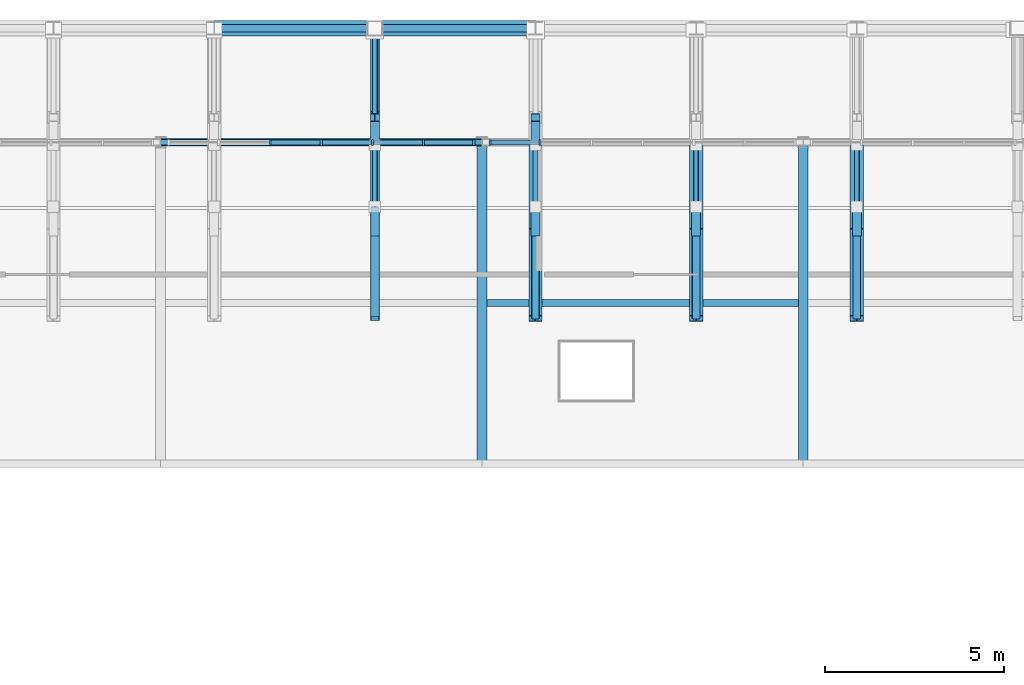
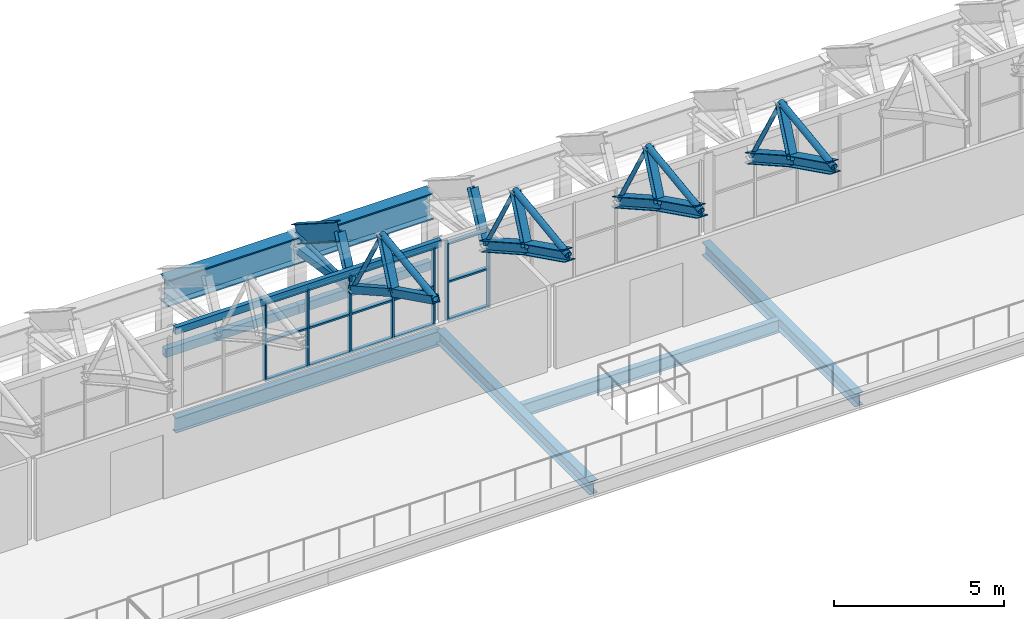
# One storey, part 67 of 134: 46 members, 10 beams, 2 elements without a shape of their own.
"""IFC4 building model written with IfcOpenShell, lengths in metres."""

from ifc_helpers import new_model, si_unit, direction, frame, origin, origin_2d, place, context, subcontext, project, spatial, rectangle, hollow_rectangle, hollow_circle, i_section, extrude, material, layer, layer_set, material_profile, profile_set, type_object, element, aggregate, save


model = new_model("IFC4")

# Units and contexts
model_context = context("Model", 3, precision=1e-05, world=origin(), true_north=direction((0.0, 1.0)))
body_context = subcontext(model_context, "Body", "Model", "MODEL_VIEW")
ifc_project = project(units=[si_unit("LENGTHUNIT", "METRE"), si_unit("AREAUNIT", "SQUARE_METRE"), si_unit("VOLUMEUNIT", "CUBIC_METRE"), si_unit("PLANEANGLEUNIT", "RADIAN"), si_unit("MASSUNIT", "GRAM", prefix="KILO")], contexts=[model_context])

# Site, building, storey
site_placement = place(None, origin())
site = spatial("IfcSite", under=ifc_project, at=site_placement, CompositionType="ELEMENT")
building_placement = place(site_placement, origin())
building = spatial("IfcBuilding", under=site, at=building_placement, Name="Cazmaro Siding Exhibition Halls", CompositionType="ELEMENT")
storey_placement = place(building_placement, frame((0.0, 0.0, 12.0)))
storey = spatial("IfcBuildingStorey", under=building, at=storey_placement, Name="L02", CompositionType="ELEMENT", Elevation=12.0)

# Beams
ifc_material_1 = material(Name="Steel ASTM A992 Grade 50", Category="steel")
ifc_material_profile_1 = material_profile(ifc_material_1, i_section(OverallWidth=0.22900390625, OverallDepth=0.612060546875, WebThickness=0.011962890625, FlangeThickness=0.02001953125, at=origin_2d()), Name="W24X84")
ifc_profile_set_1 = profile_set([ifc_material_profile_1], Name="Steel ASTM A992 Grade 50")
beam_type_1 = type_object("IfcBeamType", Name="AR-03", PredefinedType="USERDEFINED", material=ifc_profile_set_1)
beam_1_placement = place(storey_placement, frame((81.0, 121.5, 3.89306640625), z_axis=(0.0, 0.843339173298, -0.537381650954), x_axis=(-1.0, 0.0, 0.0)))
element("IfcBeam", 1, at=beam_1_placement, inside=storey, type_object=beam_type_1, Name="Space frame barrel vault arched rib AR-03 BM-0750", ObjectType="ARCHED RIB", PredefinedType="USERDEFINED", context=body_context, shape_type="SweptSolid", body=[
    extrude(i_section(OverallWidth=0.22900390625, OverallDepth=0.612060546875, WebThickness=0.011962890625, FlangeThickness=0.02001953125, at=origin_2d()), origin(), (0.0, 0.0, 1.0), 2.96435546875),
])
ifc_material_2 = material(Name="Steel ASTM A992 Grade 50", Category="steel")
ifc_material_profile_2 = material_profile(ifc_material_2, i_section(OverallWidth=0.2099609375, OverallDepth=0.535888671875, WebThickness=0.010986328125, FlangeThickness=0.01708984375, at=origin_2d()), Name="W21X68")
ifc_profile_set_2 = profile_set([ifc_material_profile_2], Name="Steel ASTM A992 Grade 50")
beam_type_2 = type_object("IfcBeamType", Name="B-02", PredefinedType="BEAM", material=ifc_profile_set_2)
beam_2_placement = place(storey_placement, frame((75.0, 120.800048828125, -0.488037109375), z_axis=(1.0, 0.0, 0.0), x_axis=(0.0, 1.0, 0.0)))
element("IfcBeam", 2, at=beam_2_placement, inside=storey, type_object=beam_type_2, Name="Beam B-02 BM-0408", PredefinedType="BEAM", context=body_context, shape_type="SweptSolid", body=[
    extrude(i_section(OverallWidth=0.2099609375, OverallDepth=0.535888671875, WebThickness=0.010986328125, FlangeThickness=0.01708984375, at=origin_2d()), origin(), (0.0, 0.0, 1.0), 9.0),
])
ifc_material_3 = material(Name="Steel ASTM A992 Grade 50", Category="steel")
ifc_material_profile_3 = material_profile(ifc_material_3, i_section(OverallWidth=0.279052734375, OverallDepth=0.4619140625, WebThickness=0.010986328125, FlangeThickness=0.01708984375, at=origin_2d()), Name="W18X76")
ifc_profile_set_3 = profile_set([ifc_material_profile_3], Name="Steel ASTM A992 Grade 50")
beam_type_3 = type_object("IfcBeamType", Name="B-03", PredefinedType="BEAM", material=ifc_profile_set_3)
for number, where, z_axis, x_axis, name in (
    (3, (84.0, 111.800048828125, -0.450927734375), (0.0, 1.0, 0.0), (-1.0, 0.0, 0.0), "Beam B-03 BM-0441"),
    (4, (93.0, 111.800048828125, -0.450927734375), (0.0, 1.0, 0.0), (-1.0, 0.0, 0.0), "Beam B-03 BM-0442"),
):
    element("IfcBeam", number, at=place(storey_placement, frame(where, z_axis=z_axis, x_axis=x_axis)), inside=storey, type_object=beam_type_3, Name=name, PredefinedType="BEAM", context=body_context, shape_type="SweptSolid", body=[
        extrude(i_section(OverallWidth=0.279052734375, OverallDepth=0.4619140625, WebThickness=0.010986328125, FlangeThickness=0.01708984375, at=origin_2d()), origin(), (0.0, 0.0, 1.0), 9.0),
    ])

# Curtain wall, members
ifc_material_4 = material(Name="Anodized Bronze Aluminum and Solar-Control Low-E Glazing", Category="aluminium")
ifc_layer = layer(ifc_material_4, 0.159912109375)
ifc_layer_set = layer_set([ifc_layer], Name="Anodized Bronze Aluminum and Solar-Control Low-E Glazing")
curtain_wall_type = type_object("IfcCurtainWallType", Name="CWS-04", PredefinedType="USERDEFINED", material=ifc_layer_set)
curtain_wall_1_placement = place(storey_placement, origin())
curtain_wall_1 = element("IfcCurtainWall", 5, at=curtain_wall_1_placement, inside=storey, type_object=curtain_wall_type, Name="Clerestory Curtain Wall CWS-04 CW-015", ObjectType="CLERESTORY CURTAIN WALL", PredefinedType="USERDEFINED")
ifc_material_5 = material(Name="Anodized Bronze Extruded Aluminum", Category="aluminium")
ifc_material_profile_4 = material_profile(ifc_material_5, rectangle(XDim=0.159912109375, YDim=0.06005859375, at=origin_2d()), Name="CWM-04")
ifc_profile_set_4 = profile_set([ifc_material_profile_4], Name="Anodized Bronze Extruded Aluminum")
member_type_1 = type_object("IfcMemberType", Name="CWM-04", PredefinedType="MULLION", material=ifc_profile_set_4)
member_1_placement = place(storey_placement, frame((83.77294921875, 120.800048828125, 0.0), z_axis=(0.0, 0.0, 1.0), x_axis=(0.0, -1.0, 0.0)))
member_1 = element("IfcMember", 6, at=member_1_placement, type_object=member_type_1, Name="CWS-04 mullion 1", PredefinedType="MULLION", context=body_context, shape_type="SweptSolid", body=[
    extrude(rectangle(XDim=0.159912109375, YDim=0.06005859375, at=origin_2d()), origin(), (0.0, 0.0, 1.0), 2.800048828125),
])
member_2_placement = place(storey_placement, frame((82.36865234375, 120.800048828125, 0.0), z_axis=(0.0, 0.0, 1.0), x_axis=(0.0, -1.0, 0.0)))
member_2 = element("IfcMember", 7, at=member_2_placement, type_object=member_type_1, Name="CWS-04 mullion 2", PredefinedType="MULLION", context=body_context, shape_type="SweptSolid", body=[
    extrude(rectangle(XDim=0.159912109375, YDim=0.06005859375, at=origin_2d()), origin(), (0.0, 0.0, 1.0), 2.800048828125),
])
member_3_placement = place(storey_placement, frame((80.934326171875, 120.800048828125, 0.0), z_axis=(0.0, 0.0, 1.0), x_axis=(0.0, -1.0, 0.0)))
member_3 = element("IfcMember", 8, at=member_3_placement, type_object=member_type_1, Name="CWS-04 mullion 3", PredefinedType="MULLION", context=body_context, shape_type="SweptSolid", body=[
    extrude(rectangle(XDim=0.159912109375, YDim=0.06005859375, at=origin_2d()), origin(), (0.0, 0.0, 1.0), 2.800048828125),
])
member_4_placement = place(storey_placement, frame((79.5, 120.800048828125, 0.0), z_axis=(0.0, 0.0, 1.0), x_axis=(0.0, -1.0, 0.0)))
member_4 = element("IfcMember", 9, at=member_4_placement, type_object=member_type_1, Name="CWS-04 mullion 4", PredefinedType="MULLION", context=body_context, shape_type="SweptSolid", body=[
    extrude(rectangle(XDim=0.159912109375, YDim=0.06005859375, at=origin_2d()), origin(), (0.0, 0.0, 1.0), 2.800048828125),
])
member_5_placement = place(storey_placement, frame((78.065673828125, 120.800048828125, 0.0), z_axis=(0.0, 0.0, 1.0), x_axis=(0.0, -1.0, 0.0)))
member_5 = element("IfcMember", 10, at=member_5_placement, type_object=member_type_1, Name="CWS-04 mullion 5", PredefinedType="MULLION", context=body_context, shape_type="SweptSolid", body=[
    extrude(rectangle(XDim=0.159912109375, YDim=0.06005859375, at=origin_2d()), origin(), (0.0, 0.0, 1.0), 2.800048828125),
])

curtain_wall_2_placement = place(storey_placement, origin())
curtain_wall_2 = element("IfcCurtainWall", 11, at=curtain_wall_2_placement, inside=storey, type_object=curtain_wall_type, Name="Clerestory Curtain Wall CWS-04 CW-018", ObjectType="CLERESTORY CURTAIN WALL", PredefinedType="USERDEFINED")
member_6_placement = place(storey_placement, frame((85.63134765625, 120.800048828125, 0.0), z_axis=(0.0, 0.0, 1.0), x_axis=(0.0, -1.0, 0.0)))
member_6 = element("IfcMember", 12, at=member_6_placement, type_object=member_type_1, Name="CWS-04 mullion 6", PredefinedType="MULLION", context=body_context, shape_type="SweptSolid", body=[
    extrude(rectangle(XDim=0.159912109375, YDim=0.06005859375, at=origin_2d()), origin(), (0.0, 0.0, 1.0), 2.800048828125),
])
member_7_placement = place(storey_placement, frame((84.22705078125, 120.800048828125, 0.0), z_axis=(0.0, 0.0, 1.0), x_axis=(0.0, -1.0, 0.0)))
member_7 = element("IfcMember", 13, at=member_7_placement, type_object=member_type_1, Name="CWS-04 mullion 7", PredefinedType="MULLION", context=body_context, shape_type="SweptSolid", body=[
    extrude(rectangle(XDim=0.159912109375, YDim=0.06005859375, at=origin_2d()), origin(), (0.0, 0.0, 1.0), 2.800048828125),
])

# Member
ifc_material_6 = material(Name="Anodized Bronze Extruded Aluminum", Category="aluminium")
ifc_material_profile_5 = material_profile(ifc_material_6, rectangle(XDim=0.139892578125, YDim=0.06005859375, at=origin_2d()), Name="CWT-04")
ifc_profile_set_5 = profile_set([ifc_material_profile_5], Name="Anodized Bronze Extruded Aluminum")
member_type_2 = type_object("IfcMemberType", Name="CWT-04", PredefinedType="MULLION", material=ifc_profile_set_5)
member_8_placement = place(storey_placement, frame((83.742919921875, 120.800048828125, 0.030029296875), z_axis=(-1.0, 0.0, 0.0), x_axis=(0.0, -1.0, 0.0)))
member_8 = element("IfcMember", 14, at=member_8_placement, type_object=member_type_2, Name="CWS-04 transom 1.1", ObjectType="TRANSOM", PredefinedType="USERDEFINED", context=body_context, shape_type="SweptSolid", body=[
    extrude(rectangle(XDim=0.139892578125, YDim=0.06005859375, at=origin_2d()), origin(), (0.0, 0.0, 1.0), 1.34423828125),
])

member_9_placement = place(storey_placement, frame((83.742919921875, 120.800048828125, 1.39990234375), z_axis=(-1.0, 0.0, 0.0), x_axis=(0.0, -1.0, 0.0)))
member_9 = element("IfcMember", 15, at=member_9_placement, type_object=member_type_2, Name="CWS-04 transom 1.2", ObjectType="TRANSOM", PredefinedType="USERDEFINED", context=body_context, shape_type="SweptSolid", body=[
    extrude(rectangle(XDim=0.139892578125, YDim=0.06005859375, at=origin_2d()), origin(), (0.0, 0.0, 1.0), 1.34423828125),
])

member_10_placement = place(storey_placement, frame((83.742919921875, 120.800048828125, 2.77001953125), z_axis=(-1.0, 0.0, 0.0), x_axis=(0.0, -1.0, 0.0)))
member_10 = element("IfcMember", 16, at=member_10_placement, type_object=member_type_2, Name="CWS-04 transom 1.3", ObjectType="TRANSOM", PredefinedType="USERDEFINED", context=body_context, shape_type="SweptSolid", body=[
    extrude(rectangle(XDim=0.139892578125, YDim=0.06005859375, at=origin_2d()), origin(), (0.0, 0.0, 1.0), 1.34423828125),
])

member_11_placement = place(storey_placement, frame((82.338623046875, 120.800048828125, 0.030029296875), z_axis=(-1.0, 0.0, 0.0), x_axis=(0.0, -1.0, 0.0)))
member_11 = element("IfcMember", 17, at=member_11_placement, type_object=member_type_2, Name="CWS-04 transom 2.1", ObjectType="TRANSOM", PredefinedType="USERDEFINED", context=body_context, shape_type="SweptSolid", body=[
    extrude(rectangle(XDim=0.139892578125, YDim=0.06005859375, at=origin_2d()), origin(), (0.0, 0.0, 1.0), 1.374267578125),
])

member_12_placement = place(storey_placement, frame((82.338623046875, 120.800048828125, 1.39990234375), z_axis=(-1.0, 0.0, 0.0), x_axis=(0.0, -1.0, 0.0)))
member_12 = element("IfcMember", 18, at=member_12_placement, type_object=member_type_2, Name="CWS-04 transom 2.2", ObjectType="TRANSOM", PredefinedType="USERDEFINED", context=body_context, shape_type="SweptSolid", body=[
    extrude(rectangle(XDim=0.139892578125, YDim=0.06005859375, at=origin_2d()), origin(), (0.0, 0.0, 1.0), 1.374267578125),
])

member_13_placement = place(storey_placement, frame((82.338623046875, 120.800048828125, 2.77001953125), z_axis=(-1.0, 0.0, 0.0), x_axis=(0.0, -1.0, 0.0)))
member_13 = element("IfcMember", 19, at=member_13_placement, type_object=member_type_2, Name="CWS-04 transom 2.3", ObjectType="TRANSOM", PredefinedType="USERDEFINED", context=body_context, shape_type="SweptSolid", body=[
    extrude(rectangle(XDim=0.139892578125, YDim=0.06005859375, at=origin_2d()), origin(), (0.0, 0.0, 1.0), 1.374267578125),
])

member_14_placement = place(storey_placement, frame((80.904296875, 120.800048828125, 0.030029296875), z_axis=(-1.0, 0.0, 0.0), x_axis=(0.0, -1.0, 0.0)))
member_14 = element("IfcMember", 20, at=member_14_placement, type_object=member_type_2, Name="CWS-04 transom 3.1", ObjectType="TRANSOM", PredefinedType="USERDEFINED", context=body_context, shape_type="SweptSolid", body=[
    extrude(rectangle(XDim=0.139892578125, YDim=0.06005859375, at=origin_2d()), origin(), (0.0, 0.0, 1.0), 1.374267578125),
])

member_15_placement = place(storey_placement, frame((80.904296875, 120.800048828125, 1.39990234375), z_axis=(-1.0, 0.0, 0.0), x_axis=(0.0, -1.0, 0.0)))
member_15 = element("IfcMember", 21, at=member_15_placement, type_object=member_type_2, Name="CWS-04 transom 3.2", ObjectType="TRANSOM", PredefinedType="USERDEFINED", context=body_context, shape_type="SweptSolid", body=[
    extrude(rectangle(XDim=0.139892578125, YDim=0.06005859375, at=origin_2d()), origin(), (0.0, 0.0, 1.0), 1.374267578125),
])

member_16_placement = place(storey_placement, frame((80.904296875, 120.800048828125, 2.77001953125), z_axis=(-1.0, 0.0, 0.0), x_axis=(0.0, -1.0, 0.0)))
member_16 = element("IfcMember", 22, at=member_16_placement, type_object=member_type_2, Name="CWS-04 transom 3.3", ObjectType="TRANSOM", PredefinedType="USERDEFINED", context=body_context, shape_type="SweptSolid", body=[
    extrude(rectangle(XDim=0.139892578125, YDim=0.06005859375, at=origin_2d()), origin(), (0.0, 0.0, 1.0), 1.374267578125),
])

member_17_placement = place(storey_placement, frame((79.469970703125, 120.800048828125, 0.030029296875), z_axis=(-1.0, 0.0, 0.0), x_axis=(0.0, -1.0, 0.0)))
member_17 = element("IfcMember", 23, at=member_17_placement, type_object=member_type_2, Name="CWS-04 transom 4.1", ObjectType="TRANSOM", PredefinedType="USERDEFINED", context=body_context, shape_type="SweptSolid", body=[
    extrude(rectangle(XDim=0.139892578125, YDim=0.06005859375, at=origin_2d()), origin(), (0.0, 0.0, 1.0), 1.374267578125),
])

member_18_placement = place(storey_placement, frame((79.469970703125, 120.800048828125, 1.39990234375), z_axis=(-1.0, 0.0, 0.0), x_axis=(0.0, -1.0, 0.0)))
member_18 = element("IfcMember", 24, at=member_18_placement, type_object=member_type_2, Name="CWS-04 transom 4.2", ObjectType="TRANSOM", PredefinedType="USERDEFINED", context=body_context, shape_type="SweptSolid", body=[
    extrude(rectangle(XDim=0.139892578125, YDim=0.06005859375, at=origin_2d()), origin(), (0.0, 0.0, 1.0), 1.374267578125),
])

member_19_placement = place(storey_placement, frame((79.469970703125, 120.800048828125, 2.77001953125), z_axis=(-1.0, 0.0, 0.0), x_axis=(0.0, -1.0, 0.0)))
member_19 = element("IfcMember", 25, at=member_19_placement, type_object=member_type_2, Name="CWS-04 transom 4.3", ObjectType="TRANSOM", PredefinedType="USERDEFINED", context=body_context, shape_type="SweptSolid", body=[
    extrude(rectangle(XDim=0.139892578125, YDim=0.06005859375, at=origin_2d()), origin(), (0.0, 0.0, 1.0), 1.374267578125),
])

aggregate(curtain_wall_1, [member_1, member_2, member_3, member_4, member_5, member_8, member_9, member_10, member_11, member_12, member_13, member_14, member_15, member_16, member_17, member_18, member_19])

member_20_placement = place(storey_placement, frame((85.601318359375, 120.800048828125, 0.030029296875), z_axis=(-1.0, 0.0, 0.0), x_axis=(0.0, -1.0, 0.0)))
member_20 = element("IfcMember", 26, at=member_20_placement, type_object=member_type_2, Name="CWS-04 transom 6.1", ObjectType="TRANSOM", PredefinedType="USERDEFINED", context=body_context, shape_type="SweptSolid", body=[
    extrude(rectangle(XDim=0.139892578125, YDim=0.06005859375, at=origin_2d()), origin(), (0.0, 0.0, 1.0), 1.34423828125),
])

member_21_placement = place(storey_placement, frame((85.601318359375, 120.800048828125, 1.39990234375), z_axis=(-1.0, 0.0, 0.0), x_axis=(0.0, -1.0, 0.0)))
member_21 = element("IfcMember", 27, at=member_21_placement, type_object=member_type_2, Name="CWS-04 transom 6.2", ObjectType="TRANSOM", PredefinedType="USERDEFINED", context=body_context, shape_type="SweptSolid", body=[
    extrude(rectangle(XDim=0.139892578125, YDim=0.06005859375, at=origin_2d()), origin(), (0.0, 0.0, 1.0), 1.34423828125),
])

member_22_placement = place(storey_placement, frame((85.601318359375, 120.800048828125, 2.77001953125), z_axis=(-1.0, 0.0, 0.0), x_axis=(0.0, -1.0, 0.0)))
member_22 = element("IfcMember", 28, at=member_22_placement, type_object=member_type_2, Name="CWS-04 transom 6.3", ObjectType="TRANSOM", PredefinedType="USERDEFINED", context=body_context, shape_type="SweptSolid", body=[
    extrude(rectangle(XDim=0.139892578125, YDim=0.06005859375, at=origin_2d()), origin(), (0.0, 0.0, 1.0), 1.34423828125),
])

aggregate(curtain_wall_2, [member_6, member_7, member_20, member_21, member_22])

# Beams
ifc_material_7 = material(Name="Steel ASTM A992 Grade 50", Category="steel")
ifc_material_profile_6 = material_profile(ifc_material_7, i_section(OverallWidth=0.424072265625, OverallDepth=0.947021484375, WebThickness=0.02392578125, FlangeThickness=0.04296875, at=origin_2d()), Name="W36X302")
ifc_profile_set_6 = profile_set([ifc_material_profile_6], Name="Steel ASTM A992 Grade 50")
beam_type_4 = type_object("IfcBeamType", Name="G-01", PredefinedType="USERDEFINED", material=ifc_profile_set_6)
for number, where, z_axis, x_axis, name in (
    (29, (76.5, 124.0, 1.826904296875), (1.0, 0.0, 0.0), (0.0, 1.0, 0.0), "Beam G-01 BM-0108"),
    (30, (81.0, 124.0, 1.826904296875), (1.0, 0.0, 0.0), (0.0, 1.0, 0.0), "Beam G-01 BM-0114"),
):
    element("IfcBeam", number, at=place(storey_placement, frame(where, z_axis=z_axis, x_axis=x_axis)), inside=storey, type_object=beam_type_4, Name=name, ObjectType="GIRDER", PredefinedType="USERDEFINED", context=body_context, shape_type="SweptSolid", body=[
        extrude(i_section(OverallWidth=0.424072265625, OverallDepth=0.947021484375, WebThickness=0.02392578125, FlangeThickness=0.04296875, at=origin_2d()), origin(), (0.0, 0.0, 1.0), 4.5),
    ])
ifc_material_8 = material(Name="Steel ASTM A992 Grade 50", Category="steel")
ifc_material_profile_7 = material_profile(ifc_material_8, i_section(OverallWidth=0.19091796875, OverallDepth=0.45703125, WebThickness=0.009033203125, FlangeThickness=0.013916015625, at=origin_2d()), Name="W18X50")
ifc_profile_set_7 = profile_set([ifc_material_profile_7], Name="Steel ASTM A992 Grade 50")
beam_type_5 = type_object("IfcBeamType", Name="J-01", PredefinedType="JOIST", material=ifc_profile_set_7)
beam_3_placement = place(storey_placement, frame((84.139892578125, 116.300048828125, -0.448974609375), z_axis=(1.0, 0.0, 0.0), x_axis=(0.0, 1.0, 0.0)))
element("IfcBeam", 31, at=beam_3_placement, inside=storey, type_object=beam_type_5, Name="Beam J-01 BM-0412", PredefinedType="JOIST", context=body_context, shape_type="SweptSolid", body=[
    extrude(i_section(OverallWidth=0.19091796875, OverallDepth=0.45703125, WebThickness=0.009033203125, FlangeThickness=0.013916015625, at=origin_2d()), origin(), (0.0, 0.0, 1.0), 8.72021484375),
])
ifc_material_9 = material(Name="Steel ASTM A500 Grade C", Category="steel")
ifc_material_profile_8 = material_profile(ifc_material_9, hollow_rectangle(XDim=0.202880859375, YDim=0.304931640625, WallThickness=0.011962890625, at=origin_2d()), Name="HSS12X8X1/2")
ifc_profile_set_8 = profile_set([ifc_material_profile_8], Name="Steel ASTM A500 Grade C")
beam_type_6 = type_object("IfcBeamType", Name="SP-01", PredefinedType="SPANDREL", material=ifc_profile_set_8)
for number, where, z_axis, x_axis, name in (
    (32, (76.5, 124.0, -0.373046875), (1.0, 0.0, 0.0), (0.0, 1.0, 0.0), "Beam SP-01 BM-0107"),
    (33, (81.0, 124.0, -0.373046875), (1.0, 0.0, 0.0), (0.0, 1.0, 0.0), "Beam SP-01 BM-0113"),
):
    element("IfcBeam", number, at=place(storey_placement, frame(where, z_axis=z_axis, x_axis=x_axis)), inside=storey, type_object=beam_type_6, Name=name, PredefinedType="SPANDREL", context=body_context, shape_type="SweptSolid", body=[
        extrude(hollow_rectangle(XDim=0.202880859375, YDim=0.304931640625, WallThickness=0.011962890625, at=origin_2d()), origin(), (0.0, 0.0, 1.0), 4.5),
    ])
ifc_material_10 = material(Name="Steel ASTM A500 Grade C", Category="steel")
ifc_material_profile_9 = material_profile(ifc_material_10, hollow_rectangle(XDim=0.152099609375, YDim=0.25390625, WallThickness=0.011962890625, at=origin_2d()), Name="HSS10X6X1/2")
ifc_profile_set_9 = profile_set([ifc_material_profile_9], Name="Steel ASTM A500 Grade C")
beam_type_7 = type_object("IfcBeamType", Name="SP-02", PredefinedType="SPANDREL", material=ifc_profile_set_9)
beam_4_placement = place(storey_placement, frame((75.0, 120.800048828125, 2.873046875), z_axis=(1.0, 0.0, 0.0), x_axis=(0.0, 1.0, 0.0)))
element("IfcBeam", 34, at=beam_4_placement, inside=storey, type_object=beam_type_7, Name="Beam SP-02 BM-0234", PredefinedType="SPANDREL", context=body_context, shape_type="SweptSolid", body=[
    extrude(hollow_rectangle(XDim=0.152099609375, YDim=0.25390625, WallThickness=0.011962890625, at=origin_2d()), origin(), (0.0, 0.0, 1.0), 9.0),
])

# Members
ifc_material_11 = material(Name="Steel ASTM A500 Grade C", Category="steel")
ifc_material_profile_10 = material_profile(ifc_material_11, hollow_rectangle(XDim=0.25390625, YDim=0.25390625, WallThickness=0.014892578125, at=origin_2d()), Name="HSS10X10X5/8")
ifc_profile_set_10 = profile_set([ifc_material_profile_10], Name="Steel ASTM A500 Grade C")
member_type_3 = type_object("IfcMemberType", Name="TC-01", PredefinedType="CHORD", material=ifc_profile_set_10)
member_23_placement = place(storey_placement, frame((81.0, 115.868896484375, 4.87890625), z_axis=(0.0, 0.896077457924, -0.443897724033), x_axis=(-1.0, 0.0, 0.0)))
element("IfcMember", 35, at=member_23_placement, inside=storey, type_object=member_type_3, Name="Space frame barrel vault bottom chord TC-01 MEM-0563", PredefinedType="CHORD", context=body_context, shape_type="SweptSolid", body=[
    extrude(hollow_rectangle(XDim=0.25390625, YDim=0.25390625, WallThickness=0.014892578125, at=origin_2d()), origin(), (0.0, 0.0, 1.0), 2.7119140625),
])
member_24_placement = place(storey_placement, frame((81.0, 118.299072265625, 3.675048828125), z_axis=(0.0, 0.871222319466, -0.490888653428), x_axis=(-1.0, 0.0, 0.0)))
element("IfcMember", 36, at=member_24_placement, inside=storey, type_object=member_type_3, Name="Space frame barrel vault bottom chord TC-01 MEM-0565", PredefinedType="CHORD", context=body_context, shape_type="SweptSolid", body=[
    extrude(hollow_rectangle(XDim=0.25390625, YDim=0.25390625, WallThickness=0.014892578125, at=origin_2d()), origin(), (0.0, 0.0, 1.0), 2.7890625),
])
member_25_placement = place(storey_placement, frame((81.0, 120.72900390625, 2.305908203125), z_axis=(0.0, 0.988252010809, -0.152833121839), x_axis=(-1.0, 0.0, 0.0)))
element("IfcMember", 37, at=member_25_placement, inside=storey, type_object=member_type_3, Name="Space frame barrel vault bottom chord TC-01 MEM-0567", PredefinedType="CHORD", context=body_context, shape_type="SweptSolid", body=[
    extrude(hollow_rectangle(XDim=0.25390625, YDim=0.25390625, WallThickness=0.014892578125, at=origin_2d()), origin(), (0.0, 0.0, 1.0), 3.309814453125),
])
ifc_material_12 = material(Name="Steel ASTM A992 Grade 50", Category="steel")
ifc_material_profile_11 = material_profile(ifc_material_12, i_section(OverallWidth=0.37109375, OverallDepth=0.364013671875, WebThickness=0.012939453125, FlangeThickness=0.02197265625, at=origin_2d()), Name="W14X109")
ifc_profile_set_11 = profile_set([ifc_material_profile_11], Name="Steel ASTM A992 Grade 50")
member_type_4 = type_object("IfcMemberType", Name="TC-06", PredefinedType="CHORD", material=ifc_profile_set_11)
member_26_placement = place(storey_placement, frame((85.5, 115.868896484375, 4.87890625), z_axis=(0.0, 0.896077457924, -0.443897724033), x_axis=(-1.0, 0.0, 0.0)))
element("IfcMember", 38, at=member_26_placement, inside=storey, type_object=member_type_4, Name="Space frame barrel vault bottom chord TC-06 MEM-0634", PredefinedType="CHORD", context=body_context, shape_type="SweptSolid", body=[
    extrude(i_section(OverallWidth=0.37109375, OverallDepth=0.364013671875, WebThickness=0.012939453125, FlangeThickness=0.02197265625, at=origin_2d()), origin(), (0.0, 0.0, 1.0), 2.7119140625),
])
member_27_placement = place(storey_placement, frame((85.5, 118.299072265625, 3.675048828125), z_axis=(0.0, 0.871222319466, -0.490888653428), x_axis=(-1.0, 0.0, 0.0)))
element("IfcMember", 39, at=member_27_placement, inside=storey, type_object=member_type_4, Name="Space frame barrel vault bottom chord TC-06 MEM-0636", PredefinedType="CHORD", context=body_context, shape_type="SweptSolid", body=[
    extrude(i_section(OverallWidth=0.37109375, OverallDepth=0.364013671875, WebThickness=0.012939453125, FlangeThickness=0.02197265625, at=origin_2d()), origin(), (0.0, 0.0, 1.0), 2.7890625),
])
member_28_placement = place(storey_placement, frame((90.0, 115.868896484375, 4.87890625), z_axis=(0.0, 0.896077457924, -0.443897724033), x_axis=(-1.0, 0.0, 0.0)))
element("IfcMember", 40, at=member_28_placement, inside=storey, type_object=member_type_4, Name="Space frame barrel vault bottom chord TC-06 MEM-0705", PredefinedType="CHORD", context=body_context, shape_type="SweptSolid", body=[
    extrude(i_section(OverallWidth=0.37109375, OverallDepth=0.364013671875, WebThickness=0.012939453125, FlangeThickness=0.02197265625, at=origin_2d()), origin(), (0.0, 0.0, 1.0), 2.7119140625),
])
member_29_placement = place(storey_placement, frame((90.0, 118.299072265625, 3.675048828125), z_axis=(0.0, 0.871222319466, -0.490888653428), x_axis=(-1.0, 0.0, 0.0)))
element("IfcMember", 41, at=member_29_placement, inside=storey, type_object=member_type_4, Name="Space frame barrel vault bottom chord TC-06 MEM-0707", PredefinedType="CHORD", context=body_context, shape_type="SweptSolid", body=[
    extrude(i_section(OverallWidth=0.37109375, OverallDepth=0.364013671875, WebThickness=0.012939453125, FlangeThickness=0.02197265625, at=origin_2d()), origin(), (0.0, 0.0, 1.0), 2.7890625),
])
member_30_placement = place(storey_placement, frame((94.5, 115.868896484375, 4.87890625), z_axis=(0.0, 0.896077457924, -0.443897724033), x_axis=(-1.0, 0.0, 0.0)))
element("IfcMember", 42, at=member_30_placement, inside=storey, type_object=member_type_4, Name="Space frame barrel vault bottom chord TC-06 MEM-0776", PredefinedType="CHORD", context=body_context, shape_type="SweptSolid", body=[
    extrude(i_section(OverallWidth=0.37109375, OverallDepth=0.364013671875, WebThickness=0.012939453125, FlangeThickness=0.02197265625, at=origin_2d()), origin(), (0.0, 0.0, 1.0), 2.7119140625),
])
member_31_placement = place(storey_placement, frame((94.5, 118.299072265625, 3.675048828125), z_axis=(0.0, 0.871222319466, -0.490888653428), x_axis=(-1.0, 0.0, 0.0)))
element("IfcMember", 43, at=member_31_placement, inside=storey, type_object=member_type_4, Name="Space frame barrel vault bottom chord TC-06 MEM-0778", PredefinedType="CHORD", context=body_context, shape_type="SweptSolid", body=[
    extrude(i_section(OverallWidth=0.37109375, OverallDepth=0.364013671875, WebThickness=0.012939453125, FlangeThickness=0.02197265625, at=origin_2d()), origin(), (0.0, 0.0, 1.0), 2.7890625),
])
ifc_material_13 = material(Name="Steel ASTM A992 Grade 50", Category="steel")
ifc_material_profile_12 = material_profile(ifc_material_13, i_section(OverallWidth=0.25390625, OverallDepth=0.25390625, WebThickness=0.009033203125, FlangeThickness=0.013916015625, at=origin_2d()), Name="W10X49")
ifc_profile_set_12 = profile_set([ifc_material_profile_12], Name="Steel ASTM A992 Grade 50")
member_type_5 = type_object("IfcMemberType", Name="TP-04", PredefinedType="POST", material=ifc_profile_set_12)
member_32_placement = place(storey_placement, frame((81.0, 118.299072265625, 3.675048828125), z_axis=(0.0, 0.395865434272, 0.918308530913), x_axis=(-1.0, 0.0, 0.0)))
element("IfcMember", 44, at=member_32_placement, inside=storey, type_object=member_type_5, Name="Space frame barrel vault post TP-04 MEM-0590", PredefinedType="POST", context=body_context, shape_type="SweptSolid", body=[
    extrude(i_section(OverallWidth=0.25390625, OverallDepth=0.25390625, WebThickness=0.009033203125, FlangeThickness=0.013916015625, at=origin_2d()), origin(), (0.0, 0.0, 1.0), 1.7705078125),
])
member_33_placement = place(storey_placement, frame((81.0, 120.72900390625, 2.305908203125), z_axis=(0.0, 0.436945543824, 0.89948796086), x_axis=(-1.0, 0.0, 0.0)))
element("IfcMember", 45, at=member_33_placement, inside=storey, type_object=member_type_5, Name="Space frame barrel vault post TP-04 MEM-0591", PredefinedType="POST", context=body_context, shape_type="SweptSolid", body=[
    extrude(i_section(OverallWidth=0.25390625, OverallDepth=0.25390625, WebThickness=0.009033203125, FlangeThickness=0.013916015625, at=origin_2d()), origin(), (0.0, 0.0, 1.0), 1.764404296875),
])
member_34_placement = place(storey_placement, frame((85.5, 118.299072265625, 3.675048828125), z_axis=(0.0, 0.395865434272, 0.918308530913), x_axis=(-1.0, 0.0, 0.0)))
element("IfcMember", 46, at=member_34_placement, inside=storey, type_object=member_type_5, Name="Space frame barrel vault post TP-04 MEM-0661", PredefinedType="POST", context=body_context, shape_type="SweptSolid", body=[
    extrude(i_section(OverallWidth=0.25390625, OverallDepth=0.25390625, WebThickness=0.009033203125, FlangeThickness=0.013916015625, at=origin_2d()), origin(), (0.0, 0.0, 1.0), 1.7705078125),
])
member_35_placement = place(storey_placement, frame((85.5, 120.72900390625, 2.305908203125), z_axis=(0.0, 0.436945543824, 0.89948796086), x_axis=(-1.0, 0.0, 0.0)))
element("IfcMember", 47, at=member_35_placement, inside=storey, type_object=member_type_5, Name="Space frame barrel vault post TP-04 MEM-0662", PredefinedType="POST", context=body_context, shape_type="SweptSolid", body=[
    extrude(i_section(OverallWidth=0.25390625, OverallDepth=0.25390625, WebThickness=0.009033203125, FlangeThickness=0.013916015625, at=origin_2d()), origin(), (0.0, 0.0, 1.0), 1.764404296875),
])
for number, where, z_axis, x_axis, name in (
    (48, (90.0, 118.299072265625, 3.675048828125), (0.0, 0.395865434272, 0.918308530913), (-1.0, 0.0, 0.0), "Space frame barrel vault post TP-04 MEM-0732"),
    (49, (94.5, 118.299072265625, 3.675048828125), (0.0, 0.395865434272, 0.918308530913), (-1.0, 0.0, 0.0), "Space frame barrel vault post TP-04 MEM-0803"),
):
    element("IfcMember", number, at=place(storey_placement, frame(where, z_axis=z_axis, x_axis=x_axis)), inside=storey, type_object=member_type_5, Name=name, PredefinedType="POST", context=body_context, shape_type="SweptSolid", body=[
        extrude(i_section(OverallWidth=0.25390625, OverallDepth=0.25390625, WebThickness=0.009033203125, FlangeThickness=0.013916015625, at=origin_2d()), origin(), (0.0, 0.0, 1.0), 1.7705078125),
    ])
ifc_material_14 = material(Name="Steel ASTM A500 Grade C", Category="steel")
ifc_material_profile_13 = material_profile(ifc_material_14, hollow_circle(Radius=0.109619140625, WallThickness=0.012939453125, at=origin_2d()), Name="PIPE8XS")
ifc_profile_set_13 = profile_set([ifc_material_profile_13], Name="Steel ASTM A500 Grade C")
member_type_6 = type_object("IfcMemberType", Name="WB-01", PredefinedType="BRACE", material=ifc_profile_set_13)
for number, where, z_axis, x_axis, name in (
    (50, (81.0, 115.868896484375, 4.87890625), (0.0, 0.991034510477, 0.133606134005), (-1.0, 0.0, 0.0), "Space frame barrel vault diagonal WB-01 MEM-0564"),
    (51, (85.5, 115.868896484375, 4.87890625), (0.0, 0.991034510477, 0.133606134005), (-1.0, 0.0, 0.0), "Space frame barrel vault diagonal WB-01 MEM-0635"),
    (52, (90.0, 115.868896484375, 4.87890625), (0.0, 0.991034510477, 0.133606134005), (-1.0, 0.0, 0.0), "Space frame barrel vault diagonal WB-01 MEM-0706"),
    (53, (94.5, 115.868896484375, 4.87890625), (0.0, 0.991034510477, 0.133606134005), (-1.0, 0.0, 0.0), "Space frame barrel vault diagonal WB-01 MEM-0777"),
):
    element("IfcMember", number, at=place(storey_placement, frame(where, z_axis=z_axis, x_axis=x_axis)), inside=storey, type_object=member_type_6, Name=name, PredefinedType="BRACE", context=body_context, shape_type="SweptSolid", body=[
        extrude(hollow_circle(Radius=0.109619140625, WallThickness=0.012939453125, at=origin_2d()), origin(), (0.0, 0.0, 1.0), 3.159423828125),
    ])
ifc_material_15 = material(Name="Steel ASTM A500 Grade C", Category="steel")
ifc_material_profile_14 = material_profile(ifc_material_15, hollow_circle(Radius=0.070556640625, WallThickness=0.01904296875, at=origin_2d()), Name="PIPE5XXS")
ifc_profile_set_14 = profile_set([ifc_material_profile_14], Name="Steel ASTM A500 Grade C")
member_type_7 = type_object("IfcMemberType", Name="WB-07", PredefinedType="BRACE", material=ifc_profile_set_14)
member_36_placement = place(storey_placement, frame((81.0, 119.0, 5.301025390625), z_axis=(0.0, 0.499950595228, -0.866053925764), x_axis=(-1.0, 0.0, 0.0)))
element("IfcMember", 54, at=member_36_placement, inside=storey, type_object=member_type_7, Name="Space frame barrel vault diagonal WB-07 MEM-0566", PredefinedType="BRACE", context=body_context, shape_type="SweptSolid", body=[
    extrude(hollow_circle(Radius=0.070556640625, WallThickness=0.01904296875, at=origin_2d()), origin(), (0.0, 0.0, 1.0), 3.458251953125),
])
member_37_placement = place(storey_placement, frame((81.0, 120.72900390625, 2.305908203125), z_axis=(0.0, 0.999998395604, -0.001791309262), x_axis=(-1.0, 0.0, 0.0)))
element("IfcMember", 55, at=member_37_placement, inside=storey, type_object=member_type_7, Name="Space frame barrel vault diagonal WB-07 MEM-0568", PredefinedType="BRACE", context=body_context, shape_type="SweptSolid", body=[
    extrude(hollow_circle(Radius=0.070556640625, WallThickness=0.01904296875, at=origin_2d()), origin(), (0.0, 0.0, 1.0), 3.27099609375),
])
for number, where, z_axis, x_axis, name in (
    (56, (85.5, 119.0, 5.301025390625), (0.0, 0.499950595228, -0.866053925764), (-1.0, 0.0, 0.0), "Space frame barrel vault diagonal WB-07 MEM-0637"),
    (57, (90.0, 119.0, 5.301025390625), (0.0, 0.499950595228, -0.866053925764), (-1.0, 0.0, 0.0), "Space frame barrel vault diagonal WB-07 MEM-0708"),
    (58, (94.5, 119.0, 5.301025390625), (0.0, 0.499950595228, -0.866053925764), (-1.0, 0.0, 0.0), "Space frame barrel vault diagonal WB-07 MEM-0779"),
):
    element("IfcMember", number, at=place(storey_placement, frame(where, z_axis=z_axis, x_axis=x_axis)), inside=storey, type_object=member_type_7, Name=name, PredefinedType="BRACE", context=body_context, shape_type="SweptSolid", body=[
        extrude(hollow_circle(Radius=0.070556640625, WallThickness=0.01904296875, at=origin_2d()), origin(), (0.0, 0.0, 1.0), 3.458251953125),
    ])

save(model, "model.ifc")
